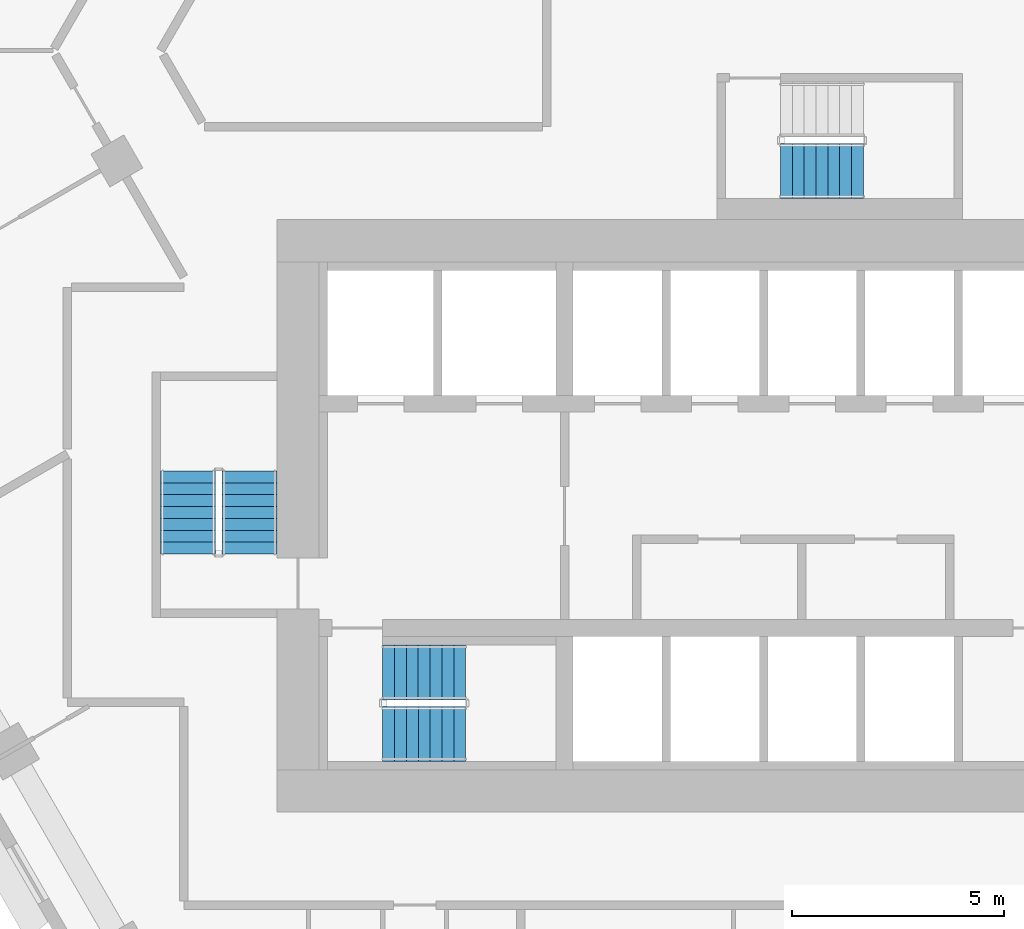
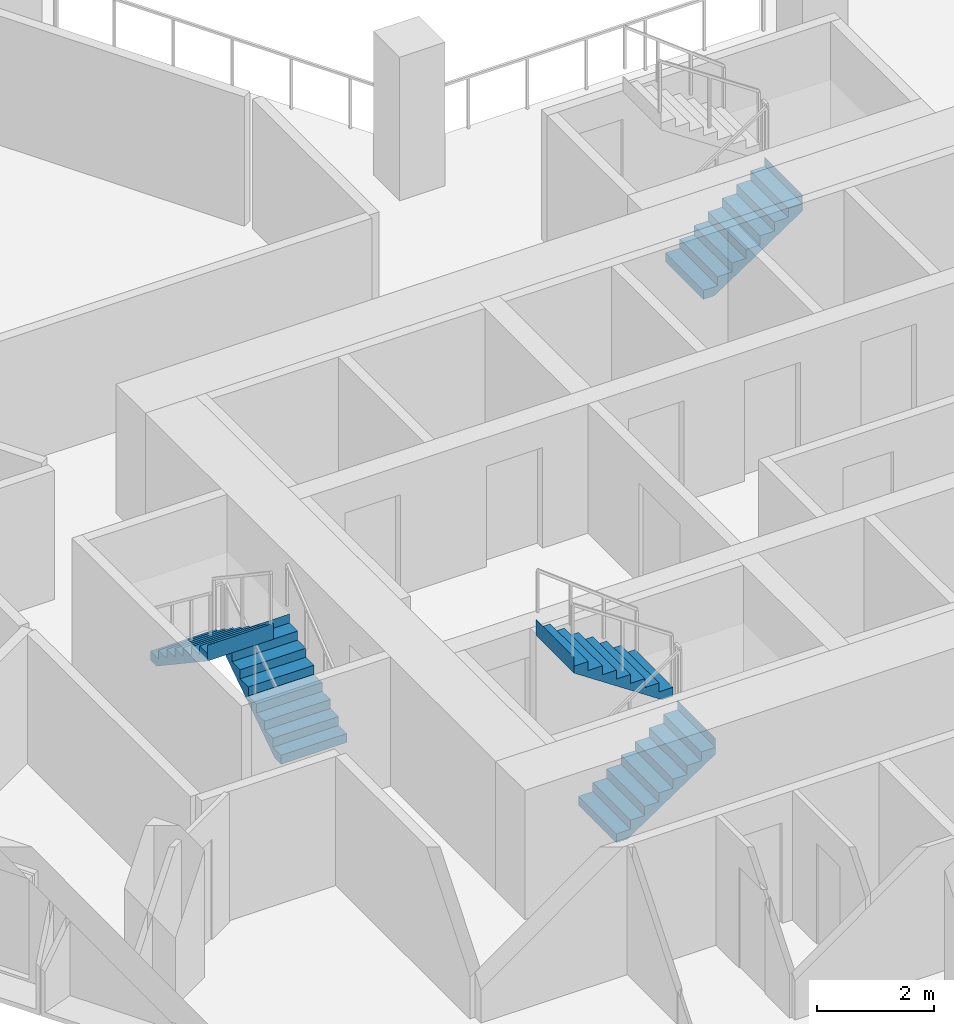
# One storey, part 10 of 15: 5 stair flights, 3 elements without a shape of their own.
"""IFC4 building model written with IfcOpenShell, lengths in metres."""

from ifc_helpers import new_model, si_unit, direction, frame, origin, place, context, subcontext, project, spatial, triangles, material, type_object, element, aggregate, save


model = new_model("IFC4")

# Units and contexts
model_context = context("Model", 3, precision=1e-05, world=origin(), true_north=direction((0.0, 1.0)))
body_context = subcontext(model_context, "Body", "Model", "MODEL_VIEW")
ifc_project = project(units=[si_unit("LENGTHUNIT", "METRE"), si_unit("AREAUNIT", "SQUARE_METRE"), si_unit("VOLUMEUNIT", "CUBIC_METRE"), si_unit("PLANEANGLEUNIT", "RADIAN"), si_unit("MASSUNIT", "GRAM", prefix="KILO")], contexts=[model_context])

# Site, building, storey
site_placement = place(None, origin())
site = spatial("IfcSite", under=ifc_project, at=site_placement, CompositionType="ELEMENT")
building_placement = place(site_placement, origin())
building = spatial("IfcBuilding", under=site, at=building_placement, Name="Beryl Residences", CompositionType="ELEMENT")
storey_placement = place(building_placement, frame((0.0, 0.0, 78.0)))
storey = spatial("IfcBuildingStorey", under=building, at=storey_placement, Name="L23", CompositionType="ELEMENT", Elevation=78.0)

# Stair, stair flights
ifc_material_1 = material(Name="Concrete C40/50", Category="concrete")
stair_type = type_object("IfcStairType", Name="ST1 protected exit stair, half-turn, 1300 mm flights", PredefinedType="HALF_TURN_STAIR", material=ifc_material_1)
stair_1_placement = place(storey_placement, origin())
stair_1 = element("IfcStair", 1, at=stair_1_placement, inside=storey, type_object=stair_type, Name="L23 PROTECTED EXIT STAIR ST-1", PredefinedType="HALF_TURN_STAIR")
ifc_material_2 = material(Name="Concrete C40/50", Category="concrete")
stair_flight_type = type_object("IfcStairFlightType", Name="SF1 stair flight 1300 mm", PredefinedType="STRAIGHT", material=ifc_material_2)
stair_flight_1_placement = place(storey_placement, frame((-10.800048828125, -17.14990234375, 0.0), z_axis=(0.0, 0.0, 1.0), x_axis=(1.0, 0.0, 0.0)))
stair_flight_1 = element("IfcStairFlight", 2, at=stair_flight_1_placement, type_object=stair_flight_type, Name="ST-1 flight 1", NumberOfRisers=8, NumberOfTreads=7, PredefinedType="STRAIGHT", RiserHeight=0.1875, TreadLength=0.28, context=body_context, shape_type="Tessellation", body=[
    triangles([(0.0, -0.64990234375, 0.0), (0.0, -0.324951171875, 0.0), (0.0, 0.0, 0.0), (0.0, 0.324951171875, 0.0), (0.0, 0.64990234375, 0.0), (0.0, -0.64990234375, 0.1875), (0.0, -0.324951171875, 0.1875), (0.0, 0.0, 0.1875), (0.0, 0.324951171875, 0.1875), (0.0, 0.64990234375, 0.1875), (0.280029296875, -0.64990234375, 0.1875), (0.280029296875, -0.324951171875, 0.1875), (0.280029296875, 0.0, 0.1875), (0.280029296875, 0.324951171875, 0.1875), (0.280029296875, 0.64990234375, 0.1875), (0.280029296875, -0.64990234375, 0.375), (0.280029296875, -0.324951171875, 0.375), (0.280029296875, 0.0, 0.375), (0.280029296875, 0.324951171875, 0.375), (0.280029296875, 0.64990234375, 0.375), (0.56005859375, -0.64990234375, 0.375), (0.56005859375, -0.324951171875, 0.375), (0.56005859375, 0.0, 0.375), (0.56005859375, 0.324951171875, 0.375), (0.56005859375, 0.64990234375, 0.375), (0.56005859375, -0.64990234375, 0.5625), (0.56005859375, -0.324951171875, 0.5625), (0.56005859375, 0.0, 0.5625), (0.56005859375, 0.324951171875, 0.5625), (0.56005859375, 0.64990234375, 0.5625), (0.840087890625, -0.64990234375, 0.5625), (0.840087890625, -0.324951171875, 0.5625), (0.840087890625, 0.0, 0.5625), (0.840087890625, 0.324951171875, 0.5625), (0.840087890625, 0.64990234375, 0.5625), (0.840087890625, -0.64990234375, 0.75), (0.840087890625, -0.324951171875, 0.75), (0.840087890625, 0.0, 0.75), (0.840087890625, 0.324951171875, 0.75), (0.840087890625, 0.64990234375, 0.75), (1.1201171875, -0.64990234375, 0.75), (1.1201171875, -0.324951171875, 0.75), (1.1201171875, 0.0, 0.75), (1.1201171875, 0.324951171875, 0.75), (1.1201171875, 0.64990234375, 0.75), (1.1201171875, -0.64990234375, 0.9375), (1.1201171875, -0.324951171875, 0.9375), (1.1201171875, 0.0, 0.9375), (1.1201171875, 0.324951171875, 0.9375), (1.1201171875, 0.64990234375, 0.9375), (1.39990234375, -0.64990234375, 0.9375), (1.39990234375, -0.324951171875, 0.9375), (1.39990234375, 0.0, 0.9375), (1.39990234375, 0.324951171875, 0.9375), (1.39990234375, 0.64990234375, 0.9375), (1.39990234375, -0.64990234375, 1.125), (1.39990234375, -0.324951171875, 1.125), (1.39990234375, 0.0, 1.125), (1.39990234375, 0.324951171875, 1.125), (1.39990234375, 0.64990234375, 1.125), (1.679931640625, -0.64990234375, 1.125), (1.679931640625, -0.324951171875, 1.125), (1.679931640625, 0.0, 1.125), (1.679931640625, 0.324951171875, 1.125), (1.679931640625, 0.64990234375, 1.125), (1.679931640625, -0.64990234375, 1.3125), (1.679931640625, -0.324951171875, 1.3125), (1.679931640625, 0.0, 1.3125), (1.679931640625, 0.324951171875, 1.3125), (1.679931640625, 0.64990234375, 1.3125), (1.9599609375, -0.64990234375, 1.3125), (1.9599609375, -0.324951171875, 1.3125), (1.9599609375, 0.0, 1.3125), (1.9599609375, 0.324951171875, 1.3125), (1.9599609375, 0.64990234375, 1.3125), (1.9599609375, -0.64990234375, 1.5), (1.9599609375, -0.324951171875, 1.5), (1.9599609375, 0.0, 1.5), (1.9599609375, 0.324951171875, 1.5), (1.9599609375, 0.64990234375, 1.5), (1.9609375, -0.64990234375, 1.5), (1.9609375, -0.324951171875, 1.5), (1.9609375, 0.0, 1.5), (1.9609375, 0.324951171875, 1.5), (1.9609375, 0.64990234375, 1.5), (1.9609375, -0.64990234375, 1.16796875), (1.9609375, -0.324951171875, 1.16796875), (1.9609375, 0.0, 1.16796875), (1.9609375, 0.324951171875, 1.16796875), (1.9609375, 0.64990234375, 1.16796875), (0.216796875, -0.64990234375, 0.0), (0.216796875, -0.324951171875, 0.0), (0.216796875, 0.0, 0.0), (0.216796875, 0.324951171875, 0.0), (0.216796875, 0.64990234375, 0.0)], [[1, 6, 7], [1, 7, 2], [2, 7, 8], [2, 8, 3], [3, 8, 9], [3, 9, 4], [4, 9, 10], [4, 10, 5], [6, 11, 12], [6, 12, 7], [7, 12, 13], [7, 13, 8], [8, 13, 14], [8, 14, 9], [9, 14, 15], [9, 15, 10], [11, 16, 17], [11, 17, 12], [12, 17, 18], [12, 18, 13], [13, 18, 19], [13, 19, 14], [14, 19, 20], [14, 20, 15], [16, 21, 22], [16, 22, 17], [17, 22, 23], [17, 23, 18], [18, 23, 24], [18, 24, 19], [19, 24, 25], [19, 25, 20], [21, 26, 27], [21, 27, 22], [22, 27, 28], [22, 28, 23], [23, 28, 29], [23, 29, 24], [24, 29, 30], [24, 30, 25], [26, 31, 32], [26, 32, 27], [27, 32, 33], [27, 33, 28], [28, 33, 34], [28, 34, 29], [29, 34, 35], [29, 35, 30], [31, 36, 37], [31, 37, 32], [32, 37, 38], [32, 38, 33], [33, 38, 39], [33, 39, 34], [34, 39, 40], [34, 40, 35], [36, 41, 42], [36, 42, 37], [37, 42, 43], [37, 43, 38], [38, 43, 44], [38, 44, 39], [39, 44, 45], [39, 45, 40], [41, 46, 47], [41, 47, 42], [42, 47, 48], [42, 48, 43], [43, 48, 49], [43, 49, 44], [44, 49, 50], [44, 50, 45], [46, 51, 52], [46, 52, 47], [47, 52, 53], [47, 53, 48], [48, 53, 54], [48, 54, 49], [49, 54, 55], [49, 55, 50], [51, 56, 57], [51, 57, 52], [52, 57, 58], [52, 58, 53], [53, 58, 59], [53, 59, 54], [54, 59, 60], [54, 60, 55], [56, 61, 62], [56, 62, 57], [57, 62, 63], [57, 63, 58], [58, 63, 64], [58, 64, 59], [59, 64, 65], [59, 65, 60], [61, 66, 67], [61, 67, 62], [62, 67, 68], [62, 68, 63], [63, 68, 69], [63, 69, 64], [64, 69, 70], [64, 70, 65], [66, 71, 72], [66, 72, 67], [67, 72, 73], [67, 73, 68], [68, 73, 74], [68, 74, 69], [69, 74, 75], [69, 75, 70], [71, 76, 77], [71, 77, 72], [72, 77, 78], [72, 78, 73], [73, 78, 79], [73, 79, 74], [74, 79, 80], [74, 80, 75], [76, 81, 82], [76, 82, 77], [77, 82, 83], [77, 83, 78], [78, 83, 84], [78, 84, 79], [79, 84, 85], [79, 85, 80], [81, 86, 87], [81, 87, 82], [82, 87, 88], [82, 88, 83], [83, 88, 89], [83, 89, 84], [84, 89, 90], [84, 90, 85], [86, 91, 92], [86, 92, 87], [87, 92, 93], [87, 93, 88], [88, 93, 94], [88, 94, 89], [89, 94, 95], [89, 95, 90], [91, 1, 2], [91, 2, 92], [92, 2, 3], [92, 3, 93], [93, 3, 4], [93, 4, 94], [94, 4, 5], [94, 5, 95], [1, 91, 86], [5, 90, 95], [86, 81, 76], [90, 80, 85], [86, 76, 71], [90, 75, 80], [86, 71, 66], [90, 70, 75], [86, 66, 61], [90, 65, 70], [61, 56, 51], [65, 55, 60], [86, 61, 51], [90, 55, 65], [51, 46, 41], [55, 45, 50], [86, 51, 41], [90, 45, 55], [41, 36, 31], [45, 35, 40], [86, 41, 31], [90, 35, 45], [31, 26, 21], [35, 25, 30], [86, 31, 21], [90, 25, 35], [21, 16, 11], [25, 15, 20], [86, 21, 11], [90, 15, 25], [1, 86, 11], [5, 15, 90], [11, 6, 1], [15, 5, 10]], closed=True),
])
stair_flight_2_placement = place(storey_placement, frame((-8.840087890625, -15.699951171875, 1.5), z_axis=(0.0, 0.0, 1.0), x_axis=(-1.0, 0.0, 0.0)))
stair_flight_2 = element("IfcStairFlight", 3, at=stair_flight_2_placement, type_object=stair_flight_type, Name="ST-1 flight 2", NumberOfRisers=8, NumberOfTreads=7, PredefinedType="STRAIGHT", RiserHeight=0.1875, TreadLength=0.28, context=body_context, shape_type="Tessellation", body=[
    triangles([(0.0, -0.64990234375, 0.0), (0.0, -0.324951171875, 0.0), (0.0, 0.0, 0.0), (0.0, 0.324951171875, 0.0), (0.0, 0.64990234375, 0.0), (0.0, -0.64990234375, 0.1875), (0.0, -0.324951171875, 0.1875), (0.0, 0.0, 0.1875), (0.0, 0.324951171875, 0.1875), (0.0, 0.64990234375, 0.1875), (0.280029296875, -0.64990234375, 0.1875), (0.280029296875, -0.324951171875, 0.1875), (0.280029296875, 0.0, 0.1875), (0.280029296875, 0.324951171875, 0.1875), (0.280029296875, 0.64990234375, 0.1875), (0.280029296875, -0.64990234375, 0.375), (0.280029296875, -0.324951171875, 0.375), (0.280029296875, 0.0, 0.375), (0.280029296875, 0.324951171875, 0.375), (0.280029296875, 0.64990234375, 0.375), (0.56005859375, -0.64990234375, 0.375), (0.56005859375, -0.324951171875, 0.375), (0.56005859375, 0.0, 0.375), (0.56005859375, 0.324951171875, 0.375), (0.56005859375, 0.64990234375, 0.375), (0.56005859375, -0.64990234375, 0.5625), (0.56005859375, -0.324951171875, 0.5625), (0.56005859375, 0.0, 0.5625), (0.56005859375, 0.324951171875, 0.5625), (0.56005859375, 0.64990234375, 0.5625), (0.840087890625, -0.64990234375, 0.5625), (0.840087890625, -0.324951171875, 0.5625), (0.840087890625, 0.0, 0.5625), (0.840087890625, 0.324951171875, 0.5625), (0.840087890625, 0.64990234375, 0.5625), (0.840087890625, -0.64990234375, 0.75), (0.840087890625, -0.324951171875, 0.75), (0.840087890625, 0.0, 0.75), (0.840087890625, 0.324951171875, 0.75), (0.840087890625, 0.64990234375, 0.75), (1.1201171875, -0.64990234375, 0.75), (1.1201171875, -0.324951171875, 0.75), (1.1201171875, 0.0, 0.75), (1.1201171875, 0.324951171875, 0.75), (1.1201171875, 0.64990234375, 0.75), (1.1201171875, -0.64990234375, 0.9375), (1.1201171875, -0.324951171875, 0.9375), (1.1201171875, 0.0, 0.9375), (1.1201171875, 0.324951171875, 0.9375), (1.1201171875, 0.64990234375, 0.9375), (1.39990234375, -0.64990234375, 0.9375), (1.39990234375, -0.324951171875, 0.9375), (1.39990234375, 0.0, 0.9375), (1.39990234375, 0.324951171875, 0.9375), (1.39990234375, 0.64990234375, 0.9375), (1.39990234375, -0.64990234375, 1.125), (1.39990234375, -0.324951171875, 1.125), (1.39990234375, 0.0, 1.125), (1.39990234375, 0.324951171875, 1.125), (1.39990234375, 0.64990234375, 1.125), (1.679931640625, -0.64990234375, 1.125), (1.679931640625, -0.324951171875, 1.125), (1.679931640625, 0.0, 1.125), (1.679931640625, 0.324951171875, 1.125), (1.679931640625, 0.64990234375, 1.125), (1.679931640625, -0.64990234375, 1.3125), (1.679931640625, -0.324951171875, 1.3125), (1.679931640625, 0.0, 1.3125), (1.679931640625, 0.324951171875, 1.3125), (1.679931640625, 0.64990234375, 1.3125), (1.9599609375, -0.64990234375, 1.3125), (1.9599609375, -0.324951171875, 1.3125), (1.9599609375, 0.0, 1.3125), (1.9599609375, 0.324951171875, 1.3125), (1.9599609375, 0.64990234375, 1.3125), (1.9599609375, -0.64990234375, 1.5), (1.9599609375, -0.324951171875, 1.5), (1.9599609375, 0.0, 1.5), (1.9599609375, 0.324951171875, 1.5), (1.9599609375, 0.64990234375, 1.5), (1.9609375, -0.64990234375, 1.5), (1.9609375, -0.324951171875, 1.5), (1.9609375, 0.0, 1.5), (1.9609375, 0.324951171875, 1.5), (1.9609375, 0.64990234375, 1.5), (1.9609375, -0.64990234375, 1.16796875), (1.9609375, -0.324951171875, 1.16796875), (1.9609375, 0.0, 1.16796875), (1.9609375, 0.324951171875, 1.16796875), (1.9609375, 0.64990234375, 1.16796875), (0.216796875, -0.64990234375, 0.0), (0.216796875, -0.324951171875, 0.0), (0.216796875, 0.0, 0.0), (0.216796875, 0.324951171875, 0.0), (0.216796875, 0.64990234375, 0.0)], [[1, 6, 7], [1, 7, 2], [2, 7, 8], [2, 8, 3], [3, 8, 9], [3, 9, 4], [4, 9, 10], [4, 10, 5], [6, 11, 12], [6, 12, 7], [7, 12, 13], [7, 13, 8], [8, 13, 14], [8, 14, 9], [9, 14, 15], [9, 15, 10], [11, 16, 17], [11, 17, 12], [12, 17, 18], [12, 18, 13], [13, 18, 19], [13, 19, 14], [14, 19, 20], [14, 20, 15], [16, 21, 22], [16, 22, 17], [17, 22, 23], [17, 23, 18], [18, 23, 24], [18, 24, 19], [19, 24, 25], [19, 25, 20], [21, 26, 27], [21, 27, 22], [22, 27, 28], [22, 28, 23], [23, 28, 29], [23, 29, 24], [24, 29, 30], [24, 30, 25], [26, 31, 32], [26, 32, 27], [27, 32, 33], [27, 33, 28], [28, 33, 34], [28, 34, 29], [29, 34, 35], [29, 35, 30], [31, 36, 37], [31, 37, 32], [32, 37, 38], [32, 38, 33], [33, 38, 39], [33, 39, 34], [34, 39, 40], [34, 40, 35], [36, 41, 42], [36, 42, 37], [37, 42, 43], [37, 43, 38], [38, 43, 44], [38, 44, 39], [39, 44, 45], [39, 45, 40], [41, 46, 47], [41, 47, 42], [42, 47, 48], [42, 48, 43], [43, 48, 49], [43, 49, 44], [44, 49, 50], [44, 50, 45], [46, 51, 52], [46, 52, 47], [47, 52, 53], [47, 53, 48], [48, 53, 54], [48, 54, 49], [49, 54, 55], [49, 55, 50], [51, 56, 57], [51, 57, 52], [52, 57, 58], [52, 58, 53], [53, 58, 59], [53, 59, 54], [54, 59, 60], [54, 60, 55], [56, 61, 62], [56, 62, 57], [57, 62, 63], [57, 63, 58], [58, 63, 64], [58, 64, 59], [59, 64, 65], [59, 65, 60], [61, 66, 67], [61, 67, 62], [62, 67, 68], [62, 68, 63], [63, 68, 69], [63, 69, 64], [64, 69, 70], [64, 70, 65], [66, 71, 72], [66, 72, 67], [67, 72, 73], [67, 73, 68], [68, 73, 74], [68, 74, 69], [69, 74, 75], [69, 75, 70], [71, 76, 77], [71, 77, 72], [72, 77, 78], [72, 78, 73], [73, 78, 79], [73, 79, 74], [74, 79, 80], [74, 80, 75], [76, 81, 82], [76, 82, 77], [77, 82, 83], [77, 83, 78], [78, 83, 84], [78, 84, 79], [79, 84, 85], [79, 85, 80], [81, 86, 87], [81, 87, 82], [82, 87, 88], [82, 88, 83], [83, 88, 89], [83, 89, 84], [84, 89, 90], [84, 90, 85], [86, 91, 92], [86, 92, 87], [87, 92, 93], [87, 93, 88], [88, 93, 94], [88, 94, 89], [89, 94, 95], [89, 95, 90], [91, 1, 2], [91, 2, 92], [92, 2, 3], [92, 3, 93], [93, 3, 4], [93, 4, 94], [94, 4, 5], [94, 5, 95], [1, 91, 86], [5, 90, 95], [86, 81, 76], [90, 80, 85], [86, 76, 71], [90, 75, 80], [86, 71, 66], [90, 70, 75], [86, 66, 61], [90, 65, 70], [61, 56, 51], [65, 55, 60], [86, 61, 51], [90, 55, 65], [51, 46, 41], [55, 45, 50], [86, 51, 41], [90, 45, 55], [41, 36, 31], [45, 35, 40], [86, 41, 31], [90, 35, 45], [31, 26, 21], [35, 25, 30], [86, 31, 21], [90, 25, 35], [21, 16, 11], [25, 15, 20], [86, 21, 11], [90, 15, 25], [1, 86, 11], [5, 15, 90], [11, 6, 1], [15, 5, 10]], closed=True),
])
aggregate(stair_1, [stair_flight_1, stair_flight_2])

stair_2_placement = place(storey_placement, origin())
stair_2 = element("IfcStair", 4, at=stair_2_placement, inside=storey, type_object=stair_type, Name="L23 PROTECTED EXIT STAIR ST-2", PredefinedType="HALF_TURN_STAIR")
stair_flight_3_placement = place(storey_placement, frame((-13.949951171875, -12.89990234375, 0.0), z_axis=(0.0, 0.0, 1.0), x_axis=(0.0, 1.0, 0.0)))
stair_flight_3 = element("IfcStairFlight", 5, at=stair_flight_3_placement, type_object=stair_flight_type, Name="ST-2 flight 1", NumberOfRisers=8, NumberOfTreads=7, PredefinedType="STRAIGHT", RiserHeight=0.1875, TreadLength=0.28, context=body_context, shape_type="Tessellation", body=[
    triangles([(0.0, -0.64990234375, 0.0), (0.0, -0.324951171875, 0.0), (0.0, 0.0, 0.0), (0.0, 0.324951171875, 0.0), (0.0, 0.64990234375, 0.0), (0.0, -0.64990234375, 0.1875), (0.0, -0.324951171875, 0.1875), (0.0, 0.0, 0.1875), (0.0, 0.324951171875, 0.1875), (0.0, 0.64990234375, 0.1875), (0.280029296875, -0.64990234375, 0.1875), (0.280029296875, -0.324951171875, 0.1875), (0.280029296875, 0.0, 0.1875), (0.280029296875, 0.324951171875, 0.1875), (0.280029296875, 0.64990234375, 0.1875), (0.280029296875, -0.64990234375, 0.375), (0.280029296875, -0.324951171875, 0.375), (0.280029296875, 0.0, 0.375), (0.280029296875, 0.324951171875, 0.375), (0.280029296875, 0.64990234375, 0.375), (0.56005859375, -0.64990234375, 0.375), (0.56005859375, -0.324951171875, 0.375), (0.56005859375, 0.0, 0.375), (0.56005859375, 0.324951171875, 0.375), (0.56005859375, 0.64990234375, 0.375), (0.56005859375, -0.64990234375, 0.5625), (0.56005859375, -0.324951171875, 0.5625), (0.56005859375, 0.0, 0.5625), (0.56005859375, 0.324951171875, 0.5625), (0.56005859375, 0.64990234375, 0.5625), (0.840087890625, -0.64990234375, 0.5625), (0.840087890625, -0.324951171875, 0.5625), (0.840087890625, 0.0, 0.5625), (0.840087890625, 0.324951171875, 0.5625), (0.840087890625, 0.64990234375, 0.5625), (0.840087890625, -0.64990234375, 0.75), (0.840087890625, -0.324951171875, 0.75), (0.840087890625, 0.0, 0.75), (0.840087890625, 0.324951171875, 0.75), (0.840087890625, 0.64990234375, 0.75), (1.1201171875, -0.64990234375, 0.75), (1.1201171875, -0.324951171875, 0.75), (1.1201171875, 0.0, 0.75), (1.1201171875, 0.324951171875, 0.75), (1.1201171875, 0.64990234375, 0.75), (1.1201171875, -0.64990234375, 0.9375), (1.1201171875, -0.324951171875, 0.9375), (1.1201171875, 0.0, 0.9375), (1.1201171875, 0.324951171875, 0.9375), (1.1201171875, 0.64990234375, 0.9375), (1.39990234375, -0.64990234375, 0.9375), (1.39990234375, -0.324951171875, 0.9375), (1.39990234375, 0.0, 0.9375), (1.39990234375, 0.324951171875, 0.9375), (1.39990234375, 0.64990234375, 0.9375), (1.39990234375, -0.64990234375, 1.125), (1.39990234375, -0.324951171875, 1.125), (1.39990234375, 0.0, 1.125), (1.39990234375, 0.324951171875, 1.125), (1.39990234375, 0.64990234375, 1.125), (1.679931640625, -0.64990234375, 1.125), (1.679931640625, -0.324951171875, 1.125), (1.679931640625, 0.0, 1.125), (1.679931640625, 0.324951171875, 1.125), (1.679931640625, 0.64990234375, 1.125), (1.679931640625, -0.64990234375, 1.3125), (1.679931640625, -0.324951171875, 1.3125), (1.679931640625, 0.0, 1.3125), (1.679931640625, 0.324951171875, 1.3125), (1.679931640625, 0.64990234375, 1.3125), (1.9599609375, -0.64990234375, 1.3125), (1.9599609375, -0.324951171875, 1.3125), (1.9599609375, 0.0, 1.3125), (1.9599609375, 0.324951171875, 1.3125), (1.9599609375, 0.64990234375, 1.3125), (1.9599609375, -0.64990234375, 1.5), (1.9599609375, -0.324951171875, 1.5), (1.9599609375, 0.0, 1.5), (1.9599609375, 0.324951171875, 1.5), (1.9599609375, 0.64990234375, 1.5), (1.9609375, -0.64990234375, 1.5), (1.9609375, -0.324951171875, 1.5), (1.9609375, 0.0, 1.5), (1.9609375, 0.324951171875, 1.5), (1.9609375, 0.64990234375, 1.5), (1.9609375, -0.64990234375, 1.16796875), (1.9609375, -0.324951171875, 1.16796875), (1.9609375, 0.0, 1.16796875), (1.9609375, 0.324951171875, 1.16796875), (1.9609375, 0.64990234375, 1.16796875), (0.216796875, -0.64990234375, 0.0), (0.216796875, -0.324951171875, 0.0), (0.216796875, 0.0, 0.0), (0.216796875, 0.324951171875, 0.0), (0.216796875, 0.64990234375, 0.0)], [[1, 6, 7], [1, 7, 2], [2, 7, 8], [2, 8, 3], [3, 8, 9], [3, 9, 4], [4, 9, 10], [4, 10, 5], [6, 11, 12], [6, 12, 7], [7, 12, 13], [7, 13, 8], [8, 13, 14], [8, 14, 9], [9, 14, 15], [9, 15, 10], [11, 16, 17], [11, 17, 12], [12, 17, 18], [12, 18, 13], [13, 18, 19], [13, 19, 14], [14, 19, 20], [14, 20, 15], [16, 21, 22], [16, 22, 17], [17, 22, 23], [17, 23, 18], [18, 23, 24], [18, 24, 19], [19, 24, 25], [19, 25, 20], [21, 26, 27], [21, 27, 22], [22, 27, 28], [22, 28, 23], [23, 28, 29], [23, 29, 24], [24, 29, 30], [24, 30, 25], [26, 31, 32], [26, 32, 27], [27, 32, 33], [27, 33, 28], [28, 33, 34], [28, 34, 29], [29, 34, 35], [29, 35, 30], [31, 36, 37], [31, 37, 32], [32, 37, 38], [32, 38, 33], [33, 38, 39], [33, 39, 34], [34, 39, 40], [34, 40, 35], [36, 41, 42], [36, 42, 37], [37, 42, 43], [37, 43, 38], [38, 43, 44], [38, 44, 39], [39, 44, 45], [39, 45, 40], [41, 46, 47], [41, 47, 42], [42, 47, 48], [42, 48, 43], [43, 48, 49], [43, 49, 44], [44, 49, 50], [44, 50, 45], [46, 51, 52], [46, 52, 47], [47, 52, 53], [47, 53, 48], [48, 53, 54], [48, 54, 49], [49, 54, 55], [49, 55, 50], [51, 56, 57], [51, 57, 52], [52, 57, 58], [52, 58, 53], [53, 58, 59], [53, 59, 54], [54, 59, 60], [54, 60, 55], [56, 61, 62], [56, 62, 57], [57, 62, 63], [57, 63, 58], [58, 63, 64], [58, 64, 59], [59, 64, 65], [59, 65, 60], [61, 66, 67], [61, 67, 62], [62, 67, 68], [62, 68, 63], [63, 68, 69], [63, 69, 64], [64, 69, 70], [64, 70, 65], [66, 71, 72], [66, 72, 67], [67, 72, 73], [67, 73, 68], [68, 73, 74], [68, 74, 69], [69, 74, 75], [69, 75, 70], [71, 76, 77], [71, 77, 72], [72, 77, 78], [72, 78, 73], [73, 78, 79], [73, 79, 74], [74, 79, 80], [74, 80, 75], [76, 81, 82], [76, 82, 77], [77, 82, 83], [77, 83, 78], [78, 83, 84], [78, 84, 79], [79, 84, 85], [79, 85, 80], [81, 86, 87], [81, 87, 82], [82, 87, 88], [82, 88, 83], [83, 88, 89], [83, 89, 84], [84, 89, 90], [84, 90, 85], [86, 91, 92], [86, 92, 87], [87, 92, 93], [87, 93, 88], [88, 93, 94], [88, 94, 89], [89, 94, 95], [89, 95, 90], [91, 1, 2], [91, 2, 92], [92, 2, 3], [92, 3, 93], [93, 3, 4], [93, 4, 94], [94, 4, 5], [94, 5, 95], [1, 91, 86], [5, 90, 95], [86, 81, 76], [90, 80, 85], [86, 76, 71], [90, 75, 80], [86, 71, 66], [90, 70, 75], [86, 66, 61], [90, 65, 70], [61, 56, 51], [65, 55, 60], [86, 61, 51], [90, 55, 65], [51, 46, 41], [55, 45, 50], [86, 51, 41], [90, 45, 55], [41, 36, 31], [45, 35, 40], [86, 41, 31], [90, 35, 45], [31, 26, 21], [35, 25, 30], [86, 31, 21], [90, 25, 35], [21, 16, 11], [25, 15, 20], [86, 21, 11], [90, 15, 25], [1, 86, 11], [5, 15, 90], [11, 6, 1], [15, 5, 10]], closed=True),
])
stair_flight_4_placement = place(storey_placement, frame((-15.39990234375, -10.93994140625, 1.5), z_axis=(0.0, 0.0, 1.0), x_axis=(0.0, -1.0, 0.0)))
stair_flight_4 = element("IfcStairFlight", 6, at=stair_flight_4_placement, type_object=stair_flight_type, Name="ST-2 flight 2", NumberOfRisers=8, NumberOfTreads=7, PredefinedType="STRAIGHT", RiserHeight=0.1875, TreadLength=0.28, context=body_context, shape_type="Tessellation", body=[
    triangles([(0.0, -0.64990234375, 0.0), (0.0, -0.324951171875, 0.0), (0.0, 0.0, 0.0), (0.0, 0.324951171875, 0.0), (0.0, 0.64990234375, 0.0), (0.0, -0.64990234375, 0.1875), (0.0, -0.324951171875, 0.1875), (0.0, 0.0, 0.1875), (0.0, 0.324951171875, 0.1875), (0.0, 0.64990234375, 0.1875), (0.280029296875, -0.64990234375, 0.1875), (0.280029296875, -0.324951171875, 0.1875), (0.280029296875, 0.0, 0.1875), (0.280029296875, 0.324951171875, 0.1875), (0.280029296875, 0.64990234375, 0.1875), (0.280029296875, -0.64990234375, 0.375), (0.280029296875, -0.324951171875, 0.375), (0.280029296875, 0.0, 0.375), (0.280029296875, 0.324951171875, 0.375), (0.280029296875, 0.64990234375, 0.375), (0.56005859375, -0.64990234375, 0.375), (0.56005859375, -0.324951171875, 0.375), (0.56005859375, 0.0, 0.375), (0.56005859375, 0.324951171875, 0.375), (0.56005859375, 0.64990234375, 0.375), (0.56005859375, -0.64990234375, 0.5625), (0.56005859375, -0.324951171875, 0.5625), (0.56005859375, 0.0, 0.5625), (0.56005859375, 0.324951171875, 0.5625), (0.56005859375, 0.64990234375, 0.5625), (0.840087890625, -0.64990234375, 0.5625), (0.840087890625, -0.324951171875, 0.5625), (0.840087890625, 0.0, 0.5625), (0.840087890625, 0.324951171875, 0.5625), (0.840087890625, 0.64990234375, 0.5625), (0.840087890625, -0.64990234375, 0.75), (0.840087890625, -0.324951171875, 0.75), (0.840087890625, 0.0, 0.75), (0.840087890625, 0.324951171875, 0.75), (0.840087890625, 0.64990234375, 0.75), (1.1201171875, -0.64990234375, 0.75), (1.1201171875, -0.324951171875, 0.75), (1.1201171875, 0.0, 0.75), (1.1201171875, 0.324951171875, 0.75), (1.1201171875, 0.64990234375, 0.75), (1.1201171875, -0.64990234375, 0.9375), (1.1201171875, -0.324951171875, 0.9375), (1.1201171875, 0.0, 0.9375), (1.1201171875, 0.324951171875, 0.9375), (1.1201171875, 0.64990234375, 0.9375), (1.39990234375, -0.64990234375, 0.9375), (1.39990234375, -0.324951171875, 0.9375), (1.39990234375, 0.0, 0.9375), (1.39990234375, 0.324951171875, 0.9375), (1.39990234375, 0.64990234375, 0.9375), (1.39990234375, -0.64990234375, 1.125), (1.39990234375, -0.324951171875, 1.125), (1.39990234375, 0.0, 1.125), (1.39990234375, 0.324951171875, 1.125), (1.39990234375, 0.64990234375, 1.125), (1.679931640625, -0.64990234375, 1.125), (1.679931640625, -0.324951171875, 1.125), (1.679931640625, 0.0, 1.125), (1.679931640625, 0.324951171875, 1.125), (1.679931640625, 0.64990234375, 1.125), (1.679931640625, -0.64990234375, 1.3125), (1.679931640625, -0.324951171875, 1.3125), (1.679931640625, 0.0, 1.3125), (1.679931640625, 0.324951171875, 1.3125), (1.679931640625, 0.64990234375, 1.3125), (1.9599609375, -0.64990234375, 1.3125), (1.9599609375, -0.324951171875, 1.3125), (1.9599609375, 0.0, 1.3125), (1.9599609375, 0.324951171875, 1.3125), (1.9599609375, 0.64990234375, 1.3125), (1.9599609375, -0.64990234375, 1.5), (1.9599609375, -0.324951171875, 1.5), (1.9599609375, 0.0, 1.5), (1.9599609375, 0.324951171875, 1.5), (1.9599609375, 0.64990234375, 1.5), (1.9609375, -0.64990234375, 1.5), (1.9609375, -0.324951171875, 1.5), (1.9609375, 0.0, 1.5), (1.9609375, 0.324951171875, 1.5), (1.9609375, 0.64990234375, 1.5), (1.9609375, -0.64990234375, 1.16796875), (1.9609375, -0.324951171875, 1.16796875), (1.9609375, 0.0, 1.16796875), (1.9609375, 0.324951171875, 1.16796875), (1.9609375, 0.64990234375, 1.16796875), (0.216796875, -0.64990234375, 0.0), (0.216796875, -0.324951171875, 0.0), (0.216796875, 0.0, 0.0), (0.216796875, 0.324951171875, 0.0), (0.216796875, 0.64990234375, 0.0)], [[1, 6, 7], [1, 7, 2], [2, 7, 8], [2, 8, 3], [3, 8, 9], [3, 9, 4], [4, 9, 10], [4, 10, 5], [6, 11, 12], [6, 12, 7], [7, 12, 13], [7, 13, 8], [8, 13, 14], [8, 14, 9], [9, 14, 15], [9, 15, 10], [11, 16, 17], [11, 17, 12], [12, 17, 18], [12, 18, 13], [13, 18, 19], [13, 19, 14], [14, 19, 20], [14, 20, 15], [16, 21, 22], [16, 22, 17], [17, 22, 23], [17, 23, 18], [18, 23, 24], [18, 24, 19], [19, 24, 25], [19, 25, 20], [21, 26, 27], [21, 27, 22], [22, 27, 28], [22, 28, 23], [23, 28, 29], [23, 29, 24], [24, 29, 30], [24, 30, 25], [26, 31, 32], [26, 32, 27], [27, 32, 33], [27, 33, 28], [28, 33, 34], [28, 34, 29], [29, 34, 35], [29, 35, 30], [31, 36, 37], [31, 37, 32], [32, 37, 38], [32, 38, 33], [33, 38, 39], [33, 39, 34], [34, 39, 40], [34, 40, 35], [36, 41, 42], [36, 42, 37], [37, 42, 43], [37, 43, 38], [38, 43, 44], [38, 44, 39], [39, 44, 45], [39, 45, 40], [41, 46, 47], [41, 47, 42], [42, 47, 48], [42, 48, 43], [43, 48, 49], [43, 49, 44], [44, 49, 50], [44, 50, 45], [46, 51, 52], [46, 52, 47], [47, 52, 53], [47, 53, 48], [48, 53, 54], [48, 54, 49], [49, 54, 55], [49, 55, 50], [51, 56, 57], [51, 57, 52], [52, 57, 58], [52, 58, 53], [53, 58, 59], [53, 59, 54], [54, 59, 60], [54, 60, 55], [56, 61, 62], [56, 62, 57], [57, 62, 63], [57, 63, 58], [58, 63, 64], [58, 64, 59], [59, 64, 65], [59, 65, 60], [61, 66, 67], [61, 67, 62], [62, 67, 68], [62, 68, 63], [63, 68, 69], [63, 69, 64], [64, 69, 70], [64, 70, 65], [66, 71, 72], [66, 72, 67], [67, 72, 73], [67, 73, 68], [68, 73, 74], [68, 74, 69], [69, 74, 75], [69, 75, 70], [71, 76, 77], [71, 77, 72], [72, 77, 78], [72, 78, 73], [73, 78, 79], [73, 79, 74], [74, 79, 80], [74, 80, 75], [76, 81, 82], [76, 82, 77], [77, 82, 83], [77, 83, 78], [78, 83, 84], [78, 84, 79], [79, 84, 85], [79, 85, 80], [81, 86, 87], [81, 87, 82], [82, 87, 88], [82, 88, 83], [83, 88, 89], [83, 89, 84], [84, 89, 90], [84, 90, 85], [86, 91, 92], [86, 92, 87], [87, 92, 93], [87, 93, 88], [88, 93, 94], [88, 94, 89], [89, 94, 95], [89, 95, 90], [91, 1, 2], [91, 2, 92], [92, 2, 3], [92, 3, 93], [93, 3, 4], [93, 4, 94], [94, 4, 5], [94, 5, 95], [1, 91, 86], [5, 90, 95], [86, 81, 76], [90, 80, 85], [86, 76, 71], [90, 75, 80], [86, 71, 66], [90, 70, 75], [86, 66, 61], [90, 65, 70], [61, 56, 51], [65, 55, 60], [86, 61, 51], [90, 55, 65], [51, 46, 41], [55, 45, 50], [86, 51, 41], [90, 45, 55], [41, 36, 31], [45, 35, 40], [86, 41, 31], [90, 35, 45], [31, 26, 21], [35, 25, 30], [86, 31, 21], [90, 25, 35], [21, 16, 11], [25, 15, 20], [86, 21, 11], [90, 15, 25], [1, 86, 11], [5, 15, 90], [11, 6, 1], [15, 5, 10]], closed=True),
])
aggregate(stair_2, [stair_flight_3, stair_flight_4])

# Stair, stair flight
stair_3_placement = place(storey_placement, origin())
stair_3 = element("IfcStair", 7, at=stair_3_placement, inside=storey, type_object=stair_type, Name="L23 PROTECTED EXIT STAIR ST-4", PredefinedType="HALF_TURN_STAIR")
stair_flight_5_placement = place(storey_placement, frame((-1.39990234375, -3.85009765625, 0.0), z_axis=(0.0, 0.0, 1.0), x_axis=(1.0, 0.0, 0.0)))
stair_flight_5 = element("IfcStairFlight", 8, at=stair_flight_5_placement, type_object=stair_flight_type, Name="ST-4 flight 1", NumberOfRisers=8, NumberOfTreads=7, PredefinedType="STRAIGHT", RiserHeight=0.1875, TreadLength=0.28, context=body_context, shape_type="Tessellation", body=[
    triangles([(0.0, -0.64990234375, 0.0), (0.0, -0.324951171875, 0.0), (0.0, 0.0, 0.0), (0.0, 0.324951171875, 0.0), (0.0, 0.64990234375, 0.0), (0.0, -0.64990234375, 0.1875), (0.0, -0.324951171875, 0.1875), (0.0, 0.0, 0.1875), (0.0, 0.324951171875, 0.1875), (0.0, 0.64990234375, 0.1875), (0.280029296875, -0.64990234375, 0.1875), (0.280029296875, -0.324951171875, 0.1875), (0.280029296875, 0.0, 0.1875), (0.280029296875, 0.324951171875, 0.1875), (0.280029296875, 0.64990234375, 0.1875), (0.280029296875, -0.64990234375, 0.375), (0.280029296875, -0.324951171875, 0.375), (0.280029296875, 0.0, 0.375), (0.280029296875, 0.324951171875, 0.375), (0.280029296875, 0.64990234375, 0.375), (0.56005859375, -0.64990234375, 0.375), (0.56005859375, -0.324951171875, 0.375), (0.56005859375, 0.0, 0.375), (0.56005859375, 0.324951171875, 0.375), (0.56005859375, 0.64990234375, 0.375), (0.56005859375, -0.64990234375, 0.5625), (0.56005859375, -0.324951171875, 0.5625), (0.56005859375, 0.0, 0.5625), (0.56005859375, 0.324951171875, 0.5625), (0.56005859375, 0.64990234375, 0.5625), (0.840087890625, -0.64990234375, 0.5625), (0.840087890625, -0.324951171875, 0.5625), (0.840087890625, 0.0, 0.5625), (0.840087890625, 0.324951171875, 0.5625), (0.840087890625, 0.64990234375, 0.5625), (0.840087890625, -0.64990234375, 0.75), (0.840087890625, -0.324951171875, 0.75), (0.840087890625, 0.0, 0.75), (0.840087890625, 0.324951171875, 0.75), (0.840087890625, 0.64990234375, 0.75), (1.1201171875, -0.64990234375, 0.75), (1.1201171875, -0.324951171875, 0.75), (1.1201171875, 0.0, 0.75), (1.1201171875, 0.324951171875, 0.75), (1.1201171875, 0.64990234375, 0.75), (1.1201171875, -0.64990234375, 0.9375), (1.1201171875, -0.324951171875, 0.9375), (1.1201171875, 0.0, 0.9375), (1.1201171875, 0.324951171875, 0.9375), (1.1201171875, 0.64990234375, 0.9375), (1.39990234375, -0.64990234375, 0.9375), (1.39990234375, -0.324951171875, 0.9375), (1.39990234375, 0.0, 0.9375), (1.39990234375, 0.324951171875, 0.9375), (1.39990234375, 0.64990234375, 0.9375), (1.39990234375, -0.64990234375, 1.125), (1.39990234375, -0.324951171875, 1.125), (1.39990234375, 0.0, 1.125), (1.39990234375, 0.324951171875, 1.125), (1.39990234375, 0.64990234375, 1.125), (1.679931640625, -0.64990234375, 1.125), (1.679931640625, -0.324951171875, 1.125), (1.679931640625, 0.0, 1.125), (1.679931640625, 0.324951171875, 1.125), (1.679931640625, 0.64990234375, 1.125), (1.679931640625, -0.64990234375, 1.3125), (1.679931640625, -0.324951171875, 1.3125), (1.679931640625, 0.0, 1.3125), (1.679931640625, 0.324951171875, 1.3125), (1.679931640625, 0.64990234375, 1.3125), (1.9599609375, -0.64990234375, 1.3125), (1.9599609375, -0.324951171875, 1.3125), (1.9599609375, 0.0, 1.3125), (1.9599609375, 0.324951171875, 1.3125), (1.9599609375, 0.64990234375, 1.3125), (1.9599609375, -0.64990234375, 1.5), (1.9599609375, -0.324951171875, 1.5), (1.9599609375, 0.0, 1.5), (1.9599609375, 0.324951171875, 1.5), (1.9599609375, 0.64990234375, 1.5), (1.9609375, -0.64990234375, 1.5), (1.9609375, -0.324951171875, 1.5), (1.9609375, 0.0, 1.5), (1.9609375, 0.324951171875, 1.5), (1.9609375, 0.64990234375, 1.5), (1.9609375, -0.64990234375, 1.16796875), (1.9609375, -0.324951171875, 1.16796875), (1.9609375, 0.0, 1.16796875), (1.9609375, 0.324951171875, 1.16796875), (1.9609375, 0.64990234375, 1.16796875), (0.216796875, -0.64990234375, 0.0), (0.216796875, -0.324951171875, 0.0), (0.216796875, 0.0, 0.0), (0.216796875, 0.324951171875, 0.0), (0.216796875, 0.64990234375, 0.0)], [[1, 6, 7], [1, 7, 2], [2, 7, 8], [2, 8, 3], [3, 8, 9], [3, 9, 4], [4, 9, 10], [4, 10, 5], [6, 11, 12], [6, 12, 7], [7, 12, 13], [7, 13, 8], [8, 13, 14], [8, 14, 9], [9, 14, 15], [9, 15, 10], [11, 16, 17], [11, 17, 12], [12, 17, 18], [12, 18, 13], [13, 18, 19], [13, 19, 14], [14, 19, 20], [14, 20, 15], [16, 21, 22], [16, 22, 17], [17, 22, 23], [17, 23, 18], [18, 23, 24], [18, 24, 19], [19, 24, 25], [19, 25, 20], [21, 26, 27], [21, 27, 22], [22, 27, 28], [22, 28, 23], [23, 28, 29], [23, 29, 24], [24, 29, 30], [24, 30, 25], [26, 31, 32], [26, 32, 27], [27, 32, 33], [27, 33, 28], [28, 33, 34], [28, 34, 29], [29, 34, 35], [29, 35, 30], [31, 36, 37], [31, 37, 32], [32, 37, 38], [32, 38, 33], [33, 38, 39], [33, 39, 34], [34, 39, 40], [34, 40, 35], [36, 41, 42], [36, 42, 37], [37, 42, 43], [37, 43, 38], [38, 43, 44], [38, 44, 39], [39, 44, 45], [39, 45, 40], [41, 46, 47], [41, 47, 42], [42, 47, 48], [42, 48, 43], [43, 48, 49], [43, 49, 44], [44, 49, 50], [44, 50, 45], [46, 51, 52], [46, 52, 47], [47, 52, 53], [47, 53, 48], [48, 53, 54], [48, 54, 49], [49, 54, 55], [49, 55, 50], [51, 56, 57], [51, 57, 52], [52, 57, 58], [52, 58, 53], [53, 58, 59], [53, 59, 54], [54, 59, 60], [54, 60, 55], [56, 61, 62], [56, 62, 57], [57, 62, 63], [57, 63, 58], [58, 63, 64], [58, 64, 59], [59, 64, 65], [59, 65, 60], [61, 66, 67], [61, 67, 62], [62, 67, 68], [62, 68, 63], [63, 68, 69], [63, 69, 64], [64, 69, 70], [64, 70, 65], [66, 71, 72], [66, 72, 67], [67, 72, 73], [67, 73, 68], [68, 73, 74], [68, 74, 69], [69, 74, 75], [69, 75, 70], [71, 76, 77], [71, 77, 72], [72, 77, 78], [72, 78, 73], [73, 78, 79], [73, 79, 74], [74, 79, 80], [74, 80, 75], [76, 81, 82], [76, 82, 77], [77, 82, 83], [77, 83, 78], [78, 83, 84], [78, 84, 79], [79, 84, 85], [79, 85, 80], [81, 86, 87], [81, 87, 82], [82, 87, 88], [82, 88, 83], [83, 88, 89], [83, 89, 84], [84, 89, 90], [84, 90, 85], [86, 91, 92], [86, 92, 87], [87, 92, 93], [87, 93, 88], [88, 93, 94], [88, 94, 89], [89, 94, 95], [89, 95, 90], [91, 1, 2], [91, 2, 92], [92, 2, 3], [92, 3, 93], [93, 3, 4], [93, 4, 94], [94, 4, 5], [94, 5, 95], [1, 91, 86], [5, 90, 95], [86, 81, 76], [90, 80, 85], [86, 76, 71], [90, 75, 80], [86, 71, 66], [90, 70, 75], [86, 66, 61], [90, 65, 70], [61, 56, 51], [65, 55, 60], [86, 61, 51], [90, 55, 65], [51, 46, 41], [55, 45, 50], [86, 51, 41], [90, 45, 55], [41, 36, 31], [45, 35, 40], [86, 41, 31], [90, 35, 45], [31, 26, 21], [35, 25, 30], [86, 31, 21], [90, 25, 35], [21, 16, 11], [25, 15, 20], [86, 21, 11], [90, 15, 25], [1, 86, 11], [5, 15, 90], [11, 6, 1], [15, 5, 10]], closed=True),
])
aggregate(stair_3, [stair_flight_5])

save(model, "model.ifc")
